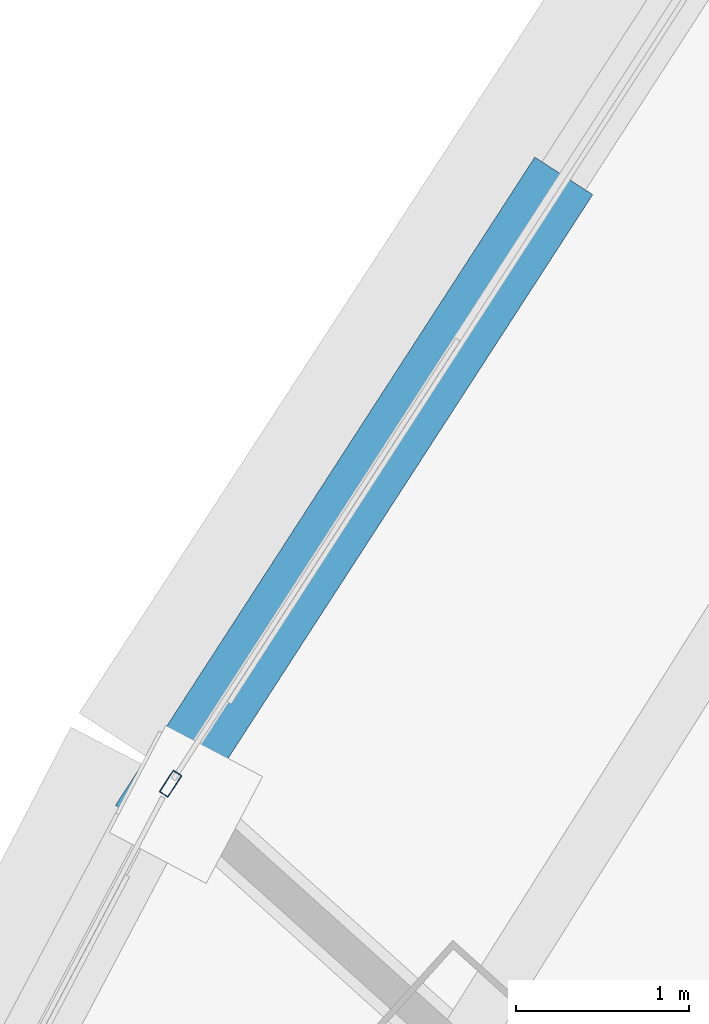
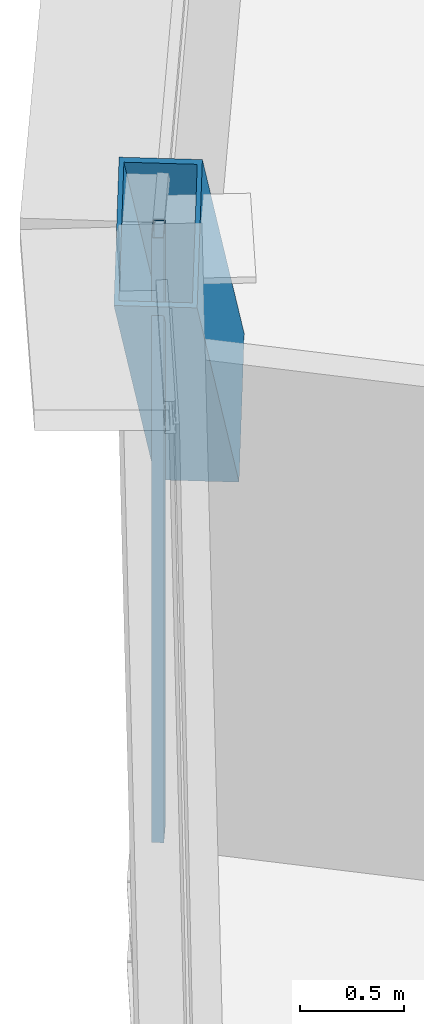
# One storey, part 16 of 40: 2 members, 1 element without a shape of its own.
"""IFC4 building model written with IfcOpenShell, lengths in metres."""

from ifc_helpers import new_model, si_unit, direction, frame, origin, origin_2d, place, context, subcontext, project, spatial, hollow_rectangle, extrude, source, transform, mapped, material, layer, layer_set, material_profile, profile_set, type_object, element, aggregate, save


model = new_model("IFC4")

# Units and contexts
model_context = context("Model", 3, precision=1e-05, world=origin(), true_north=direction((0.0, 1.0)))
body_context = subcontext(model_context, "Body", "Model", "MODEL_VIEW")
ifc_project = project(units=[si_unit("LENGTHUNIT", "METRE"), si_unit("AREAUNIT", "SQUARE_METRE"), si_unit("VOLUMEUNIT", "CUBIC_METRE"), si_unit("PLANEANGLEUNIT", "RADIAN"), si_unit("MASSUNIT", "GRAM", prefix="KILO"), si_unit("THERMODYNAMICTEMPERATUREUNIT", "KELVIN"), si_unit("POWERUNIT", "WATT")], contexts=[model_context])

# Site, building, storey
site_placement = place(None, origin())
site = spatial("IfcSite", under=ifc_project, at=site_placement, CompositionType="ELEMENT")
building_placement = place(site_placement, origin())
building = spatial("IfcBuilding", under=site, at=building_placement, Name="Yunzhuo Pagoda Commons", CompositionType="ELEMENT")
storey_placement = place(building_placement, frame((0.0, 0.0, 188.56005859375)))
storey = spatial("IfcBuildingStorey", under=building, at=storey_placement, Name="L47", CompositionType="ELEMENT", Elevation=188.56005859375)

# Member
ifc_material_1 = material(Name="Structural steel Q355B", Category="steel")
ifc_material_profile_1 = material_profile(ifc_material_1, hollow_rectangle(XDim=0.39990234375, YDim=0.719970703125, WallThickness=0.02392578125, at=origin_2d()), Name="Structural steel Q355B")
ifc_profile_set_1 = profile_set([ifc_material_profile_1], Name="Structural steel Q355B")
member_type_1 = type_object("IfcMemberType", Name="M-DL2 Brace BOX 720x400x24", PredefinedType="BRACE", material=ifc_profile_set_1)
shared_shape_1 = source(origin(), body_context, "Body", "SweptSolid", [
    extrude(hollow_rectangle(XDim=0.39990234375, YDim=0.719970703125, WallThickness=0.02392578125, at=origin_2d()), origin(), (0.0, 0.0, 1.0), 5.4990234375),
])
member_1_placement = place(storey_placement, frame((25.823486328125, 58.94921875, -0.260009765625), z_axis=(-0.39260104704, -0.606904479593, 0.691036446588), x_axis=(0.839634419332, -0.543151950999, 0.0)))
element("IfcMember", 1, at=member_1_placement, inside=storey, type_object=member_type_1, Name="L47 facade diamond brace F3.1R", PredefinedType="BRACE", context=body_context, shape_type="MappedRepresentation", body=[
    mapped(shared_shape_1, transform((0.0, 0.0, 0.0), scale=1.0)),
])

# Curtain wall, member
ifc_material_2 = material(Name="Anodized aluminium 6063-T6", Category="aluminium")
ifc_layer = layer(ifc_material_2, 0.14990234375)
ifc_layer_set = layer_set([ifc_layer], Name="Anodized aluminium 6063-T6")
curtain_wall_type = type_object("IfcCurtainWallType", Name="CW-MID Mid-Zone Ribbon Curtain Wall", PredefinedType="NOTDEFINED", material=ifc_layer_set)
curtain_wall_placement = place(storey_placement, origin())
curtain_wall = element("IfcCurtainWall", 2, at=curtain_wall_placement, inside=storey, type_object=curtain_wall_type, Name="L47 curtain wall CW-L47-F3B2", PredefinedType="NOTDEFINED")
ifc_material_profile_2 = material_profile(ifc_material_2, hollow_rectangle(XDim=0.06005859375, YDim=0.14990234375, WallThickness=0.00390625, at=origin_2d()), Name="Anodized aluminium 6063-T6")
ifc_profile_set_2 = profile_set([ifc_material_profile_2], Name="Anodized aluminium 6063-T6")
member_type_2 = type_object("IfcMemberType", Name="CW-MID-M Mullion RHS 150x60x4", PredefinedType="MULLION", material=ifc_profile_set_2)
shared_shape_2 = source(origin(), body_context, "Body", "SweptSolid", [
    extrude(hollow_rectangle(XDim=0.06005859375, YDim=0.14990234375, WallThickness=0.00390625, at=origin_2d()), origin(), (0.0, 0.0, 1.0), 3.5400390625),
])
member_2_placement = place(storey_placement, frame((23.680908203125, 55.636962890625, 0.0), z_axis=(0.0, 0.0, 1.0), x_axis=(0.839626850374, -0.543163651335, 0.0)))
member_2 = element("IfcMember", 3, at=member_2_placement, type_object=member_type_2, Name="CW mullion 2", PredefinedType="MULLION", context=body_context, shape_type="MappedRepresentation", body=[
    mapped(shared_shape_2, transform((0.0, 0.0, 0.0), scale=1.0)),
])
aggregate(curtain_wall, [member_2])

save(model, "model.ifc")
